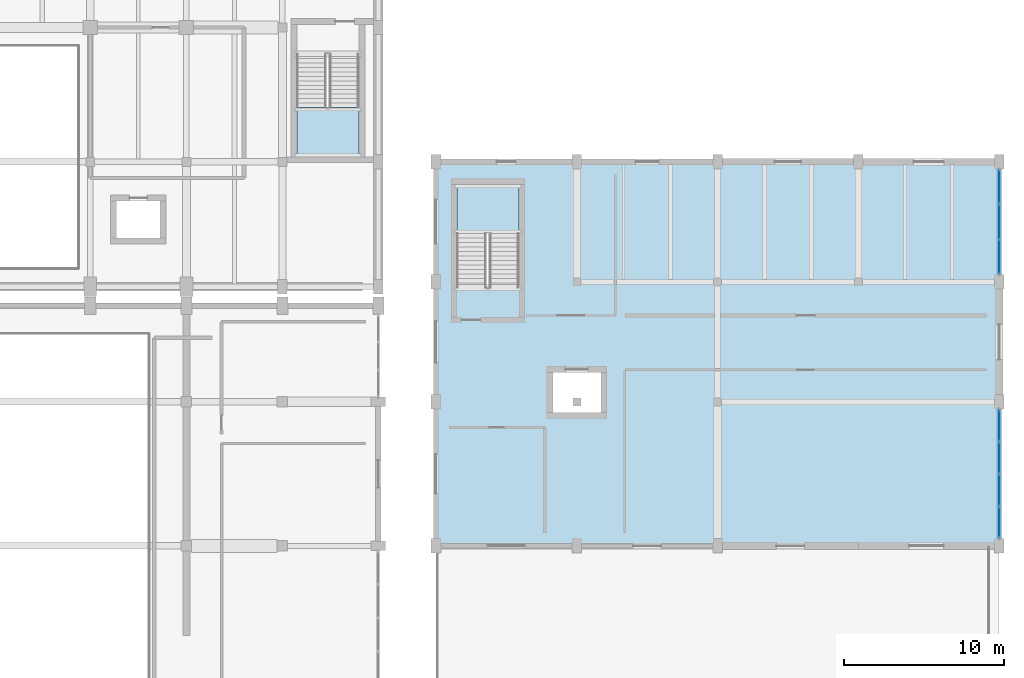
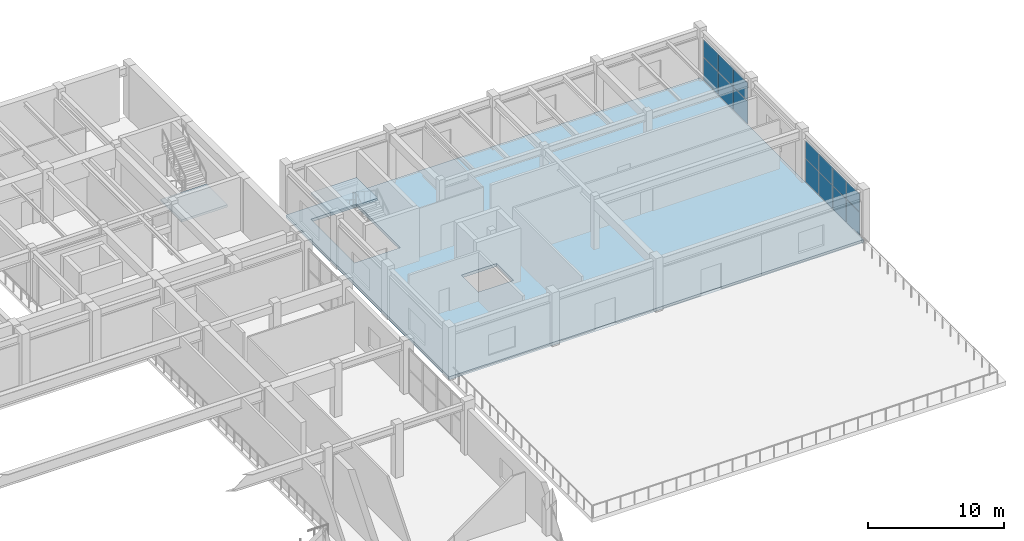
# One storey, part 38 of 62: 14 plates, 3 slabs, 4 elements without a shape of their own.
"""IFC4 building model written with IfcOpenShell, lengths in metres."""

from ifc_helpers import new_model, si_unit, direction, frame, origin, origin_2d, place, context, subcontext, project, spatial, polyline, rectangle, outline, extrude, material, layer, layer_set, type_object, element, aggregate, save


model = new_model("IFC4")

# Units and contexts
model_context = context("Model", 3, precision=1e-05, world=origin(), true_north=direction((0.0, 1.0)))
body_context = subcontext(model_context, "Body", "Model", "MODEL_VIEW")
ifc_project = project(units=[si_unit("LENGTHUNIT", "METRE"), si_unit("AREAUNIT", "SQUARE_METRE"), si_unit("VOLUMEUNIT", "CUBIC_METRE"), si_unit("PLANEANGLEUNIT", "RADIAN"), si_unit("MASSUNIT", "GRAM", prefix="KILO")], contexts=[model_context])

# Site, building, storey
site_placement = place(None, origin())
site = spatial("IfcSite", under=ifc_project, at=site_placement, CompositionType="ELEMENT")
building_placement = place(site_placement, origin())
building = spatial("IfcBuilding", under=site, at=building_placement, Name="Vaelkrest Opera House", CompositionType="ELEMENT")
storey_placement = place(building_placement, frame((0.0, 0.0, 19.800048828125)))
storey = spatial("IfcBuildingStorey", under=building, at=storey_placement, Name="L04", CompositionType="ELEMENT", Elevation=19.800048828125)

# Curtain wall, plates
ifc_material_1 = material(Name="Dark bronze anodized aluminium", Category="aluminium")
ifc_layer_1 = layer(ifc_material_1, 0.219970703125)
ifc_layer_set_1 = layer_set([ifc_layer_1], Name="Dark bronze anodized aluminium")
curtain_wall_type_1 = type_object("IfcCurtainWallType", Name="CW05", PredefinedType="NOTDEFINED", material=ifc_layer_set_1)
curtain_wall_1_placement = place(storey_placement, origin())
curtain_wall_1 = element("IfcCurtainWall", 1, at=curtain_wall_1_placement, inside=storey, type_object=curtain_wall_type_1, Name="Curtain wall CW-L04-170", PredefinedType="NOTDEFINED")
ifc_material_2 = material(Name="Double low-E insulated glazing", Category="glass")
ifc_layer_2 = layer(ifc_material_2, 0.0419921875)
ifc_layer_set_2 = layer_set([ifc_layer_2], Name="Double low-E insulated glazing")
plate_type_1 = type_object("IfcPlateType", Name="CWP05", PredefinedType="CURTAIN_PANEL", material=ifc_layer_set_2)
plate_1_placement = place(storey_placement, frame((68.800048828125, 23.635009765625, 0.074951171875), z_axis=(0.0, 0.0, 1.0), x_axis=(0.0, -1.0, 0.0)))
plate_1 = element("IfcPlate", 2, at=plate_1_placement, type_object=plate_type_1, Name="CW05 panel 1.1", PredefinedType="CURTAIN_PANEL", context=body_context, shape_type="SweptSolid", body=[
    extrude(rectangle(XDim=2.103759765625, YDim=0.0419921875, at=origin_2d()), origin(), (0.0, 0.0, 1.0), 2.03759765625),
])
plate_2_placement = place(storey_placement, frame((68.800048828125, 23.635009765625, 2.1875), z_axis=(0.0, 0.0, 1.0), x_axis=(0.0, -1.0, 0.0)))
plate_2 = element("IfcPlate", 3, at=plate_2_placement, type_object=plate_type_1, Name="CW05 panel 1.2", PredefinedType="CURTAIN_PANEL", context=body_context, shape_type="SweptSolid", body=[
    extrude(rectangle(XDim=2.103759765625, YDim=0.0419921875, at=origin_2d()), origin(), (0.0, 0.0, 1.0), 1.56640625),
])
plate_3_placement = place(storey_placement, frame((68.800048828125, 21.449951171875, 0.074951171875), z_axis=(0.0, 0.0, 1.0), x_axis=(0.0, -1.0, 0.0)))
plate_3 = element("IfcPlate", 4, at=plate_3_placement, type_object=plate_type_1, Name="CW05 panel 2.1", PredefinedType="CURTAIN_PANEL", context=body_context, shape_type="SweptSolid", body=[
    extrude(rectangle(XDim=2.13623046875, YDim=0.0419921875, at=origin_2d()), origin(), (0.0, 0.0, 1.0), 2.03759765625),
])
plate_4_placement = place(storey_placement, frame((68.800048828125, 21.449951171875, 2.1875), z_axis=(0.0, 0.0, 1.0), x_axis=(0.0, -1.0, 0.0)))
plate_4 = element("IfcPlate", 5, at=plate_4_placement, type_object=plate_type_1, Name="CW05 panel 2.2", PredefinedType="CURTAIN_PANEL", context=body_context, shape_type="SweptSolid", body=[
    extrude(rectangle(XDim=2.13623046875, YDim=0.0419921875, at=origin_2d()), origin(), (0.0, 0.0, 1.0), 1.56640625),
])
plate_5_placement = place(storey_placement, frame((68.800048828125, 19.264892578125, 0.074951171875), z_axis=(0.0, 0.0, 1.0), x_axis=(0.0, -1.0, 0.0)))
plate_5 = element("IfcPlate", 6, at=plate_5_placement, type_object=plate_type_1, Name="CW05 panel 3.1", PredefinedType="CURTAIN_PANEL", context=body_context, shape_type="SweptSolid", body=[
    extrude(rectangle(XDim=2.103759765625, YDim=0.0419921875, at=origin_2d()), origin(), (0.0, 0.0, 1.0), 2.03759765625),
])
plate_6_placement = place(storey_placement, frame((68.800048828125, 19.264892578125, 2.1875), z_axis=(0.0, 0.0, 1.0), x_axis=(0.0, -1.0, 0.0)))
plate_6 = element("IfcPlate", 7, at=plate_6_placement, type_object=plate_type_1, Name="CW05 panel 3.2", PredefinedType="CURTAIN_PANEL", context=body_context, shape_type="SweptSolid", body=[
    extrude(rectangle(XDim=2.103759765625, YDim=0.0419921875, at=origin_2d()), origin(), (0.0, 0.0, 1.0), 1.56640625),
])
aggregate(curtain_wall_1, [plate_1, plate_2, plate_3, plate_4, plate_5, plate_6])

ifc_layer_3 = layer(ifc_material_1, 0.239990234375)
ifc_layer_set_3 = layer_set([ifc_layer_3], Name="Dark bronze anodized aluminium")
curtain_wall_type_2 = type_object("IfcCurtainWallType", Name="CW07", PredefinedType="NOTDEFINED", material=ifc_layer_set_3)
curtain_wall_2_placement = place(storey_placement, origin())
curtain_wall_2 = element("IfcCurtainWall", 8, at=curtain_wall_2_placement, inside=storey, type_object=curtain_wall_type_2, Name="Curtain wall CW-L04-171", PredefinedType="NOTDEFINED")
ifc_material_3 = material(Name="Dark bronze anodized aluminium spandrel", Category="aluminium")
ifc_layer_4 = layer(ifc_material_3, 0.052001953125)
ifc_layer_set_4 = layer_set([ifc_layer_4], Name="Dark bronze anodized aluminium spandrel")
plate_type_2 = type_object("IfcPlateType", Name="CWP07", PredefinedType="CURTAIN_PANEL", material=ifc_layer_set_4)
plate_7_placement = place(storey_placement, frame((68.800048828125, 8.72021484375, 0.06494140625), z_axis=(0.0, 0.0, 1.0), x_axis=(0.0, -1.0, 0.0)))
plate_7 = element("IfcPlate", 9, at=plate_7_placement, type_object=plate_type_2, Name="CW07 panel 1.1", PredefinedType="CURTAIN_PANEL", context=body_context, shape_type="SweptSolid", body=[
    extrude(rectangle(XDim=1.91357421875, YDim=0.052001953125, at=origin_2d()), origin(), (0.0, 0.0, 1.0), 2.052490234375),
])
plate_8_placement = place(storey_placement, frame((68.800048828125, 8.72021484375, 2.182373046875), z_axis=(0.0, 0.0, 1.0), x_axis=(0.0, -1.0, 0.0)))
plate_8 = element("IfcPlate", 10, at=plate_8_placement, type_object=plate_type_2, Name="CW07 panel 1.2", PredefinedType="CURTAIN_PANEL", context=body_context, shape_type="SweptSolid", body=[
    extrude(rectangle(XDim=1.91357421875, YDim=0.052001953125, at=origin_2d()), origin(), (0.0, 0.0, 1.0), 1.58154296875),
])
plate_9_placement = place(storey_placement, frame((68.800048828125, 6.712890625, 0.06494140625), z_axis=(0.0, 0.0, 1.0), x_axis=(0.0, -1.0, 0.0)))
plate_9 = element("IfcPlate", 11, at=plate_9_placement, type_object=plate_type_2, Name="CW07 panel 2.1", PredefinedType="CURTAIN_PANEL", context=body_context, shape_type="SweptSolid", body=[
    extrude(rectangle(XDim=1.950927734375, YDim=0.052001953125, at=origin_2d()), origin(), (0.0, 0.0, 1.0), 2.052490234375),
])
plate_10_placement = place(storey_placement, frame((68.800048828125, 6.712890625, 2.182373046875), z_axis=(0.0, 0.0, 1.0), x_axis=(0.0, -1.0, 0.0)))
plate_10 = element("IfcPlate", 12, at=plate_10_placement, type_object=plate_type_2, Name="CW07 panel 2.2", PredefinedType="CURTAIN_PANEL", context=body_context, shape_type="SweptSolid", body=[
    extrude(rectangle(XDim=1.950927734375, YDim=0.052001953125, at=origin_2d()), origin(), (0.0, 0.0, 1.0), 1.58154296875),
])
plate_11_placement = place(storey_placement, frame((68.800048828125, 4.68701171875, 0.06494140625), z_axis=(0.0, 0.0, 1.0), x_axis=(0.0, -1.0, 0.0)))
plate_11 = element("IfcPlate", 13, at=plate_11_placement, type_object=plate_type_2, Name="CW07 panel 3.1", PredefinedType="CURTAIN_PANEL", context=body_context, shape_type="SweptSolid", body=[
    extrude(rectangle(XDim=1.950927734375, YDim=0.052001953125, at=origin_2d()), origin(), (0.0, 0.0, 1.0), 2.052490234375),
])
plate_12_placement = place(storey_placement, frame((68.800048828125, 4.68701171875, 2.182373046875), z_axis=(0.0, 0.0, 1.0), x_axis=(0.0, -1.0, 0.0)))
plate_12 = element("IfcPlate", 14, at=plate_12_placement, type_object=plate_type_2, Name="CW07 panel 3.2", PredefinedType="CURTAIN_PANEL", context=body_context, shape_type="SweptSolid", body=[
    extrude(rectangle(XDim=1.950927734375, YDim=0.052001953125, at=origin_2d()), origin(), (0.0, 0.0, 1.0), 1.58154296875),
])
plate_13_placement = place(storey_placement, frame((68.800048828125, 2.6796875, 0.06494140625), z_axis=(0.0, 0.0, 1.0), x_axis=(0.0, -1.0, 0.0)))
plate_13 = element("IfcPlate", 15, at=plate_13_placement, type_object=plate_type_2, Name="CW07 panel 4.1", PredefinedType="CURTAIN_PANEL", context=body_context, shape_type="SweptSolid", body=[
    extrude(rectangle(XDim=1.91357421875, YDim=0.052001953125, at=origin_2d()), origin(), (0.0, 0.0, 1.0), 2.052490234375),
])
plate_14_placement = place(storey_placement, frame((68.800048828125, 2.6796875, 2.182373046875), z_axis=(0.0, 0.0, 1.0), x_axis=(0.0, -1.0, 0.0)))
plate_14 = element("IfcPlate", 16, at=plate_14_placement, type_object=plate_type_2, Name="CW07 panel 4.2", PredefinedType="CURTAIN_PANEL", context=body_context, shape_type="SweptSolid", body=[
    extrude(rectangle(XDim=1.91357421875, YDim=0.052001953125, at=origin_2d()), origin(), (0.0, 0.0, 1.0), 1.58154296875),
])
aggregate(curtain_wall_2, [plate_7, plate_8, plate_9, plate_10, plate_11, plate_12, plate_13, plate_14])

# Slab
ifc_material_4 = material(Name="Concrete C40/50", Category="concrete")
ifc_layer_5 = layer(ifc_material_4, 0.264892578125)
ifc_layer_set_5 = layer_set([ifc_layer_5], Name="Concrete C40/50")
slab_type_1 = type_object("IfcSlabType", Name="FS02", PredefinedType="FLOOR", material=ifc_layer_set_5)
slab_1_placement = place(storey_placement, frame((0.0, 0.0, -0.26513671875)))
element("IfcSlab", 17, at=slab_1_placement, inside=storey, type_object=slab_type_1, Name="Floor slab SLB-V4-L04-031", PredefinedType="FLOOR", context=body_context, shape_type="SweptSolid", body=[
    extrude(outline(polyline([(33.60009765625, 1.199951171875), (68.800048828125, 1.199951171875), (68.800048828125, 25.199951171875), (33.60009765625, 25.199951171875), (33.60009765625, 1.199951171875)]), holes=[polyline([(38.800048828125, 17.35009765625), (38.800048828125, 23.800048828125), (34.89990234375, 23.800048828125), (34.89990234375, 17.35009765625), (38.800048828125, 17.35009765625)]), polyline([(40.89990234375, 9.550048828125), (43.89990234375, 9.550048828125), (43.89990234375, 12.050048828125), (40.89990234375, 12.050048828125), (40.89990234375, 9.550048828125)])]), origin(), (0.0, 0.0, 1.0), 0.26513671875),
])

# Stair, slab
stair_type_1 = type_object("IfcStairType", Name="ST06", PredefinedType="TWO_STRAIGHT_RUN_STAIR", material=ifc_material_4)
stair_1_placement = place(storey_placement, origin())
stair_1 = element("IfcStair", 18, at=stair_1_placement, inside=storey, type_object=stair_type_1, Name="L04 Protected exit stair ST06", PredefinedType="TWO_STRAIGHT_RUN_STAIR")
ifc_layer_6 = layer(ifc_material_4, 0.199951171875)
ifc_layer_set_6 = layer_set([ifc_layer_6], Name="Concrete C40/50")
slab_type_2 = type_object("IfcSlabType", Name="SLD01", PredefinedType="LANDING", material=ifc_layer_set_6)
slab_2_placement = place(storey_placement, frame((0.0, 0.0, 2.199951171875)))
slab_2 = element("IfcSlab", 19, at=slab_2_placement, type_object=slab_type_2, Name="ST06 landing 1", PredefinedType="LANDING", context=body_context, shape_type="SweptSolid", body=[
    extrude(outline(polyline([(24.89990234375, 28.590087890625), (24.89990234375, 25.5), (28.800048828125, 25.5), (28.800048828125, 28.590087890625), (24.89990234375, 28.590087890625)])), origin(), (0.0, 0.0, 1.0), 0.199951171875),
])
aggregate(stair_1, [slab_2])

stair_type_2 = type_object("IfcStairType", Name="ST09", PredefinedType="TWO_STRAIGHT_RUN_STAIR", material=ifc_material_4)
stair_2_placement = place(storey_placement, origin())
stair_2 = element("IfcStair", 20, at=stair_2_placement, inside=storey, type_object=stair_type_2, Name="L04 Protected exit stair ST09", PredefinedType="TWO_STRAIGHT_RUN_STAIR")
slab_3_placement = place(storey_placement, frame((0.0, 0.0, 2.199951171875)))
slab_3 = element("IfcSlab", 21, at=slab_3_placement, type_object=slab_type_2, Name="ST09 landing 1", PredefinedType="LANDING", context=body_context, shape_type="SweptSolid", body=[
    extrude(outline(polyline([(38.800048828125, 20.7099609375), (38.800048828125, 23.800048828125), (34.89990234375, 23.800048828125), (34.89990234375, 20.7099609375), (38.800048828125, 20.7099609375)])), origin(), (0.0, 0.0, 1.0), 0.199951171875),
])
aggregate(stair_2, [slab_3])

save(model, "model.ifc")
